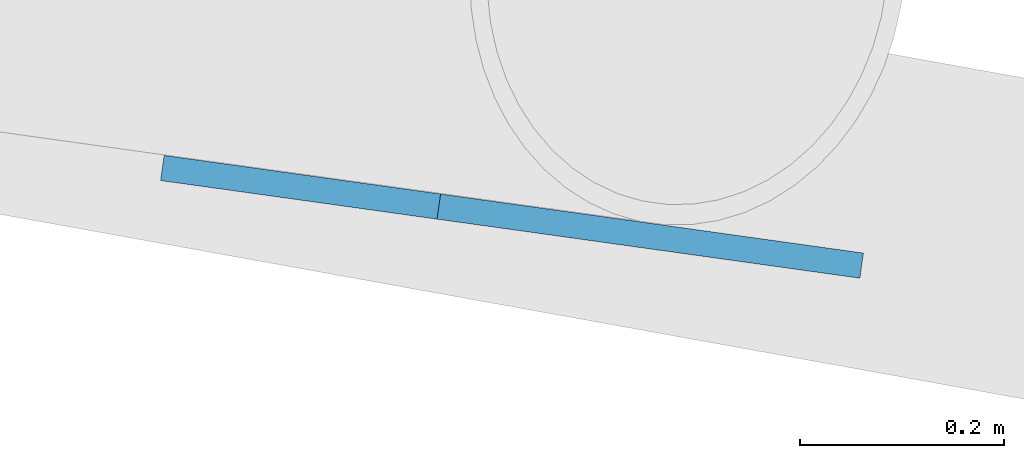
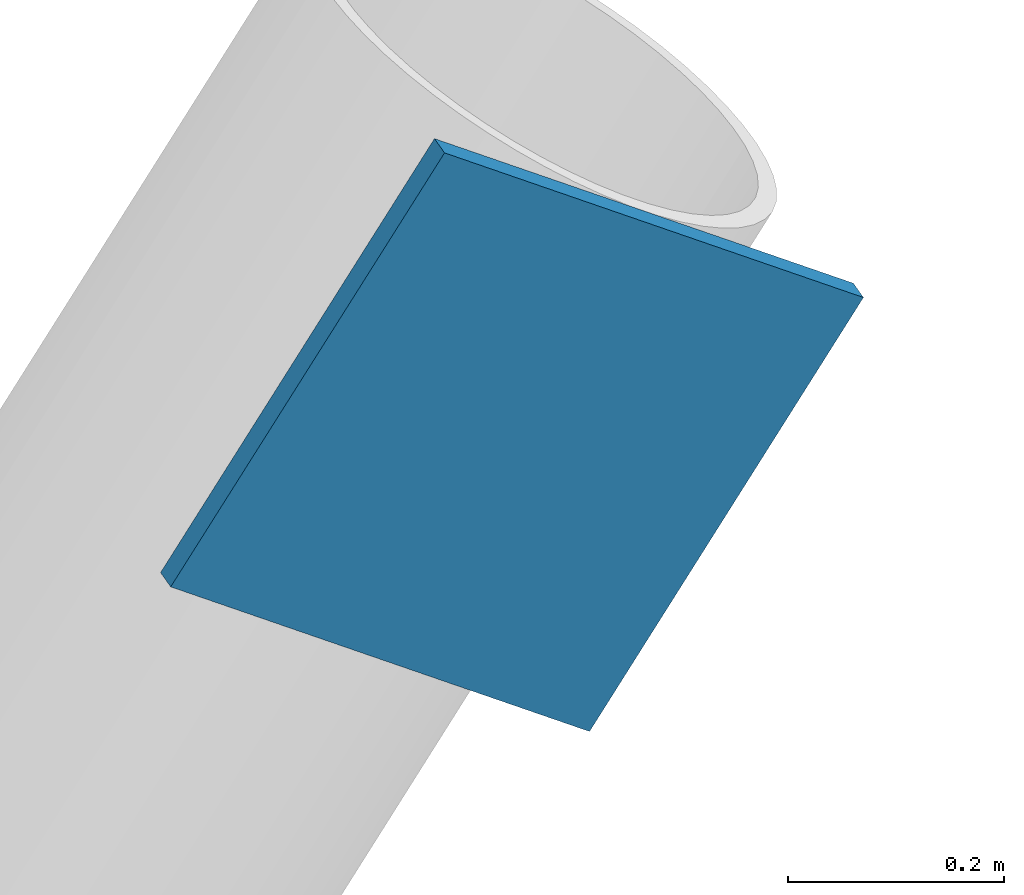
# One storey, part 13 of 21: 1 discrete accessory.
"""IFC4 building model written with IfcOpenShell, lengths in metres."""

from ifc_helpers import new_model, si_unit, direction, frame, origin, origin_2d, place, context, subcontext, project, spatial, rectangle, extrude, material, material_profile, profile_set, type_object, element, save


model = new_model("IFC4")

# Units and contexts
model_context = context("Model", 3, precision=1e-05, world=origin(), true_north=direction((0.0, 1.0)))
body_context = subcontext(model_context, "Body", "Model", "MODEL_VIEW")
ifc_project = project(units=[si_unit("LENGTHUNIT", "METRE"), si_unit("AREAUNIT", "SQUARE_METRE"), si_unit("VOLUMEUNIT", "CUBIC_METRE"), si_unit("PLANEANGLEUNIT", "RADIAN"), si_unit("MASSUNIT", "GRAM", prefix="KILO")], contexts=[model_context])

# Site, building, storey
site_placement = place(None, origin())
site = spatial("IfcSite", under=ifc_project, at=site_placement, CompositionType="ELEMENT")
building_placement = place(site_placement, origin())
building = spatial("IfcBuilding", under=site, at=building_placement, Name="Tarsis Ring Headquarters", CompositionType="ELEMENT")
storey_placement = place(building_placement, frame((0.0, 0.0, 347.0)))
storey = spatial("IfcBuildingStorey", under=building, at=storey_placement, Name="L82", CompositionType="ELEMENT", Elevation=347.0)

# Discrete accessory
ifc_material = material(Name="Structural steel S355", Category="steel")
ifc_material_profile = material_profile(ifc_material, rectangle(XDim=0.02490234375, YDim=0.5, at=origin_2d()), Name="PL 25x500")
ifc_profile_set = profile_set([ifc_material_profile], Name="Structural steel S355")
discrete_accessory_type = type_object("IfcDiscreteAccessoryType", Name="Gusset plate Exo brace 25", PredefinedType="BRACKET", material=ifc_profile_set)
discrete_accessory_placement = place(storey_placement, frame((10.05078125, 26.976806640625, 7.800048828125), z_axis=(-0.541795491034, 0.075656127126, -0.837098438849), x_axis=(-0.13829779905, -0.990390689969, 0.0)))
element("IfcDiscreteAccessory", 1, at=discrete_accessory_placement, inside=storey, type_object=discrete_accessory_type, Name="Gusset plate GP5", PredefinedType="BRACKET", context=body_context, shape_type="SweptSolid", body=[
    extrude(rectangle(XDim=0.02490234375, YDim=0.5, at=origin_2d()), origin(), (0.0, 0.0, 1.0), 0.500244140625),
])

save(model, "model.ifc")
